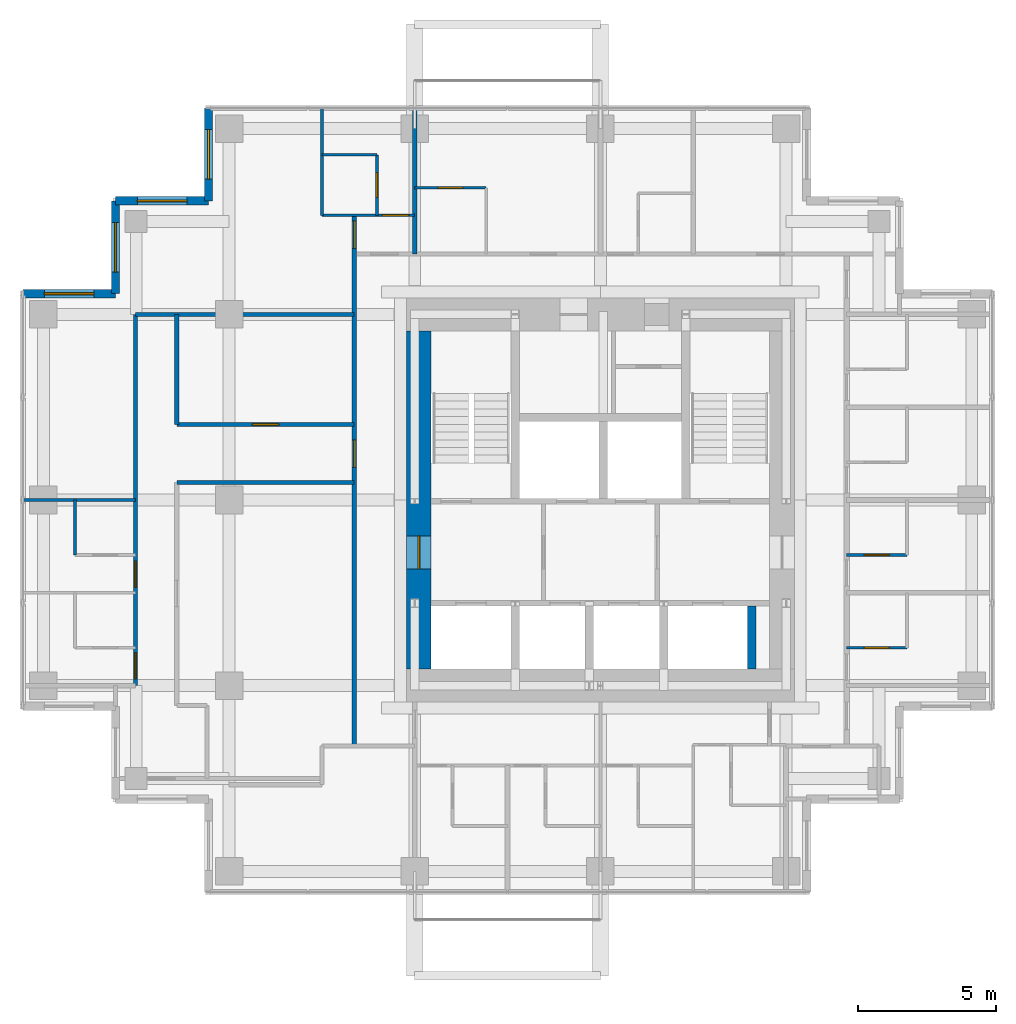
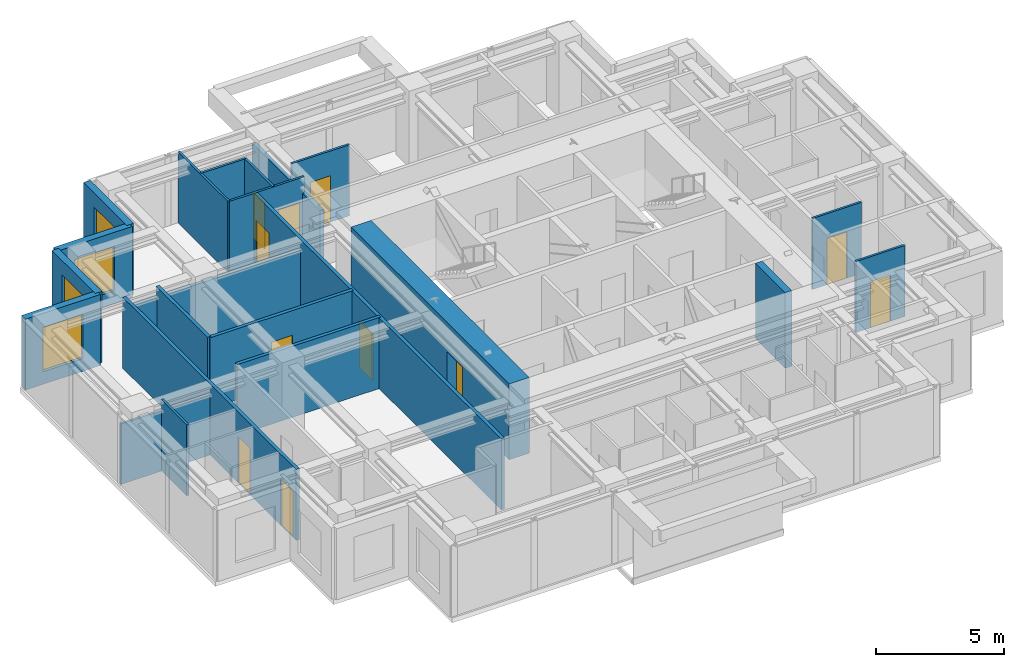
# One storey, part 5 of 8: 22 walls, 11 doors, 4 windows, 15 openings.
"""IFC4 building model written with IfcOpenShell, lengths in metres."""

from ifc_helpers import new_model, si_unit, direction, frame, frame_2d, origin, place, context, subcontext, project, spatial, rectangle, extrude, material, layer, layer_set, type_object, element, fill, save


model = new_model("IFC4")

# Units and contexts
model_context = context("Model", 3, precision=1e-05, world=origin(), true_north=direction((0.0, 1.0)))
body_context = subcontext(model_context, "Body", "Model", "MODEL_VIEW")
ifc_project = project(units=[si_unit("LENGTHUNIT", "METRE"), si_unit("AREAUNIT", "SQUARE_METRE"), si_unit("VOLUMEUNIT", "CUBIC_METRE"), si_unit("PLANEANGLEUNIT", "RADIAN"), si_unit("MASSUNIT", "GRAM", prefix="KILO")], contexts=[model_context])

# Site, building, storey
site_placement = place(None, origin())
site = spatial("IfcSite", under=ifc_project, at=site_placement, CompositionType="ELEMENT")
building_placement = place(site_placement, origin())
building = spatial("IfcBuilding", under=site, at=building_placement, Name="Nyansa Garden Tower", CompositionType="ELEMENT")
storey_placement = place(building_placement, frame((0.0, 0.0, 243.89990234375)))
storey = spatial("IfcBuildingStorey", under=building, at=storey_placement, Name="L66", CompositionType="ELEMENT", Elevation=243.89990234375)

# Walls
ifc_material_1 = material(Name="Dense blockwork, plastered both sides, 55 dB", Category="masonry")
ifc_layer_1 = layer(ifc_material_1, 0.175048828125)
ifc_layer_set_1 = layer_set([ifc_layer_1], Name="Acoustic party wall PW175")
wall_type_1 = type_object("IfcWallType", Name="Acoustic party wall PW175", PredefinedType="PARTITIONING", material=ifc_layer_set_1)
wall_1_placement = place(storey_placement, frame((13.5, 29.199951171875, 0.0), z_axis=(0.0, 0.0, 1.0), x_axis=(0.0, 1.0, 0.0)))
element("IfcWall", 1, at=wall_1_placement, inside=storey, type_object=wall_type_1, Name="Party wall", PredefinedType="PARTITIONING", context=body_context, shape_type="SweptSolid", body=[
    extrude(rectangle(XDim=5.283935546875, YDim=0.175048828125, at=frame_2d((2.64208984375, 0.0))), origin(), (0.0, 0.0, 1.0), 2.610107421875),
])
ifc_material_2 = material(Name="Concrete C70/85", Category="concrete")
ifc_layer_2 = layer(ifc_material_2, 0.300048828125)
ifc_layer_set_2 = layer_set([ifc_layer_2], Name="Core inner wall CI300")
wall_type_2 = type_object("IfcWallType", Name="Core inner wall CI300", PredefinedType="SHEAR", material=ifc_layer_set_2)
wall_2_placement = place(storey_placement, frame((25.75, 14.10009765625, 0.0), z_axis=(0.0, 0.0, 1.0), x_axis=(0.0, 1.0, 0.0)))
element("IfcWall", 2, at=wall_2_placement, inside=storey, type_object=wall_type_2, Name="Core inner wall L66", PredefinedType="SHEAR", context=body_context, shape_type="SweptSolid", body=[
    extrude(rectangle(XDim=2.2998046875, YDim=0.300048828125, at=frame_2d((1.14990234375, 0.0))), origin(), (0.0, 0.0, 1.0), 3.60009765625),
])

# Wall, opening, door
ifc_material_3 = material(Name="Concrete C80/95", Category="concrete")
ifc_layer_3 = layer(ifc_material_3, 0.89990234375)
ifc_layer_set_3 = layer_set([ifc_layer_3], Name="Core wall CW900")
wall_type_3 = type_object("IfcWallType", Name="Core wall CW900", PredefinedType="SHEAR", material=ifc_layer_set_3)
wall_3_placement = place(storey_placement, frame((13.64990234375, 26.39990234375, 0.0), z_axis=(0.0, 0.0, 1.0), x_axis=(0.0, -1.0, 0.0)))
wall_3 = element("IfcWall", 3, at=wall_3_placement, inside=storey, type_object=wall_type_3, Name="Core wall W L66", PredefinedType="SHEAR", context=body_context, shape_type="SweptSolid", body=[
    extrude(rectangle(XDim=12.2998046875, YDim=0.89990234375, at=frame_2d((6.14990234375, 0.0))), origin(), (0.0, 0.0, 1.0), 3.60009765625),
])
opening_1_placement = place(wall_3_placement, frame((7.449951171875, 0.0, 0.0)))
opening_1 = element("IfcOpeningElement", 4, at=opening_1_placement, cuts=wall_3, Name="Opening D06", PredefinedType="OPENING", context=body_context, shape_type="SweptSolid", body=[
    extrude(rectangle(XDim=1.199951171875, YDim=2.199951171875, at=frame_2d((0.60009765625, 1.10009765625))), frame((0.0, 0.4599609375, 0.0), z_axis=(0.0, -1.0, 0.0), x_axis=(1.0, 0.0, 0.0)), (0.0, 0.0, 1.0), 0.919921875),
])
ifc_material_4 = material(Name="Steel door, 120 minute fire resisting", Category="steel")
door_type_1 = type_object("IfcDoorType", Name="Lobby door D06 1200x2200", OperationType="DOUBLE_DOOR_SINGLE_SWING", PredefinedType="DOOR", material=ifc_material_4)
door_1_placement = place(opening_1_placement, origin())
door_1 = element("IfcDoor", 5, at=door_1_placement, inside=storey, type_object=door_type_1, Name="Lift lobby door west", OperationType="DOUBLE_DOOR_SINGLE_SWING", OverallHeight=2.199951171875, OverallWidth=1.199951171875, PredefinedType="DOOR", context=body_context, shape_type="SweptSolid", body=[
    extrude(rectangle(XDim=1.199951171875, YDim=2.199951171875, at=frame_2d((0.60009765625, 1.10009765625))), frame((0.0, 0.02490234375, 0.0), z_axis=(0.0, -1.0, 0.0), x_axis=(1.0, 0.0, 0.0)), (0.0, 0.0, 1.0), 0.050048828125),
])
fill(opening_1, door_1)

# Wall, openings, doors
ifc_material_5 = material(Name="Blockwork, plastered both sides", Category="masonry")
ifc_layer_4 = layer(ifc_material_5, 0.14990234375)
ifc_layer_set_4 = layer_set([ifc_layer_4], Name="Partition PW150")
wall_type_4 = type_object("IfcWallType", Name="Partition PW150", PredefinedType="PARTITIONING", material=ifc_layer_set_4)
wall_4_placement = place(storey_placement, frame((3.35009765625, 13.5, 0.0), z_axis=(0.0, 0.0, 1.0), x_axis=(0.0, 1.0, 0.0)))
wall_4 = element("IfcWall", 6, at=wall_4_placement, inside=storey, type_object=wall_type_4, Name="Partition", PredefinedType="PARTITIONING", context=body_context, shape_type="SweptSolid", body=[
    extrude(rectangle(XDim=13.5, YDim=0.14990234375, at=frame_2d((6.75, 0.0))), origin(), (0.0, 0.0, 1.0), 3.375),
])
opening_2_placement = place(wall_4_placement, frame((0.25, 0.0, 0.0)))
opening_2 = element("IfcOpeningElement", 7, at=opening_2_placement, cuts=wall_4, Name="Opening D14", PredefinedType="OPENING", context=body_context, shape_type="SweptSolid", body=[
    extrude(rectangle(XDim=0.949951171875, YDim=2.199951171875, at=frame_2d((0.47509765625, 1.10009765625))), frame((0.0, 0.0849609375, 0.0), z_axis=(0.0, -1.0, 0.0), x_axis=(1.0, 0.0, 0.0)), (0.0, 0.0, 1.0), 0.169921875),
])
opening_3_placement = place(wall_4_placement, frame((3.574951171875, 0.0, 0.0)))
opening_3 = element("IfcOpeningElement", 8, at=opening_3_placement, cuts=wall_4, Name="Opening D14", PredefinedType="OPENING", context=body_context, shape_type="SweptSolid", body=[
    extrude(rectangle(XDim=0.949951171875, YDim=2.199951171875, at=frame_2d((0.47509765625, 1.10009765625))), frame((0.0, 0.0849609375, 0.0), z_axis=(0.0, -1.0, 0.0), x_axis=(1.0, 0.0, 0.0)), (0.0, 0.0, 1.0), 0.169921875),
])
ifc_material_6 = material(Name="Timber flush door, 60 minute fire resisting, self-closing", Category="wood")
door_type_2 = type_object("IfcDoorType", Name="Studio entrance door D14 950x2200", OperationType="SINGLE_SWING_LEFT", PredefinedType="DOOR", material=ifc_material_6)
door_2_placement = place(opening_2_placement, origin())
door_2 = element("IfcDoor", 9, at=door_2_placement, inside=storey, type_object=door_type_2, Name="Door L66-048", OperationType="SINGLE_SWING_LEFT", OverallHeight=2.199951171875, OverallWidth=0.949951171875, PredefinedType="DOOR", context=body_context, shape_type="SweptSolid", body=[
    extrude(rectangle(XDim=0.949951171875, YDim=2.199951171875, at=frame_2d((0.47509765625, 1.10009765625))), frame((0.0, 0.02490234375, 0.0), z_axis=(0.0, -1.0, 0.0), x_axis=(1.0, 0.0, 0.0)), (0.0, 0.0, 1.0), 0.050048828125),
])
fill(opening_2, door_2)
door_3_placement = place(opening_3_placement, origin())
door_3 = element("IfcDoor", 10, at=door_3_placement, inside=storey, type_object=door_type_2, Name="Door L66-050", OperationType="SINGLE_SWING_LEFT", OverallHeight=2.199951171875, OverallWidth=0.949951171875, PredefinedType="DOOR", context=body_context, shape_type="SweptSolid", body=[
    extrude(rectangle(XDim=0.949951171875, YDim=2.199951171875, at=frame_2d((0.47509765625, 1.10009765625))), frame((0.0, 0.02490234375, 0.0), z_axis=(0.0, -1.0, 0.0), x_axis=(1.0, 0.0, 0.0)), (0.0, 0.0, 1.0), 0.050048828125),
])
fill(opening_3, door_3)

# Walls
wall_5_placement = place(storey_placement, frame((3.35009765625, 27.0, 0.0), z_axis=(0.0, 0.0, 1.0), x_axis=(1.0, 0.0, 0.0)))
element("IfcWall", 11, at=wall_5_placement, inside=storey, type_object=wall_type_4, Name="Partition", PredefinedType="PARTITIONING", context=body_context, shape_type="SweptSolid", body=[
    extrude(rectangle(XDim=7.949951171875, YDim=0.14990234375, at=frame_2d((3.97509765625, 0.0))), origin(), (0.0, 0.0, 1.0), 2.877197265625),
])
wall_6_placement = place(storey_placement, frame((4.85009765625, 20.886962890625, 0.0), z_axis=(0.0, 0.0, 1.0), x_axis=(1.0, 0.0, 0.0)))
element("IfcWall", 12, at=wall_6_placement, inside=storey, type_object=wall_type_4, Name="Partition", PredefinedType="PARTITIONING", context=body_context, shape_type="SweptSolid", body=[
    extrude(rectangle(XDim=6.449951171875, YDim=0.14990234375, at=frame_2d((3.22509765625, 0.0))), origin(), (0.0, 0.0, 1.0), 3.375),
])
wall_7_placement = place(storey_placement, frame((4.85009765625, 22.987548828125, 0.0), z_axis=(0.0, 0.0, 1.0), x_axis=(0.0, 1.0, 0.0)))
element("IfcWall", 13, at=wall_7_placement, inside=storey, type_object=wall_type_4, Name="Partition", PredefinedType="PARTITIONING", context=body_context, shape_type="SweptSolid", body=[
    extrude(rectangle(XDim=4.012451171875, YDim=0.14990234375, at=frame_2d((2.00634765625, 0.0))), origin(), (0.0, 0.0, 1.0), 3.375),
])

# Wall, opening, door
wall_8_placement = place(storey_placement, frame((4.85009765625, 22.988037109375, 0.0), z_axis=(0.0, 0.0, 1.0), x_axis=(1.0, 0.0, 0.0)))
wall_8 = element("IfcWall", 14, at=wall_8_placement, inside=storey, type_object=wall_type_4, Name="Partition", PredefinedType="PARTITIONING", context=body_context, shape_type="SweptSolid", body=[
    extrude(rectangle(XDim=6.449951171875, YDim=0.14990234375, at=frame_2d((3.22509765625, 0.0))), origin(), (0.0, 0.0, 1.0), 3.375),
])
opening_4_placement = place(wall_8_placement, frame((2.75, 0.0, 0.0)))
opening_4 = element("IfcOpeningElement", 15, at=opening_4_placement, cuts=wall_8, Name="Opening D01", PredefinedType="OPENING", context=body_context, shape_type="SweptSolid", body=[
    extrude(rectangle(XDim=0.949951171875, YDim=2.199951171875, at=frame_2d((0.47509765625, 1.10009765625))), frame((0.0, 0.0849609375, 0.0), z_axis=(0.0, -1.0, 0.0), x_axis=(1.0, 0.0, 0.0)), (0.0, 0.0, 1.0), 0.169921875),
])
ifc_material_7 = material(Name="Timber flush door, 30 minute fire resisting", Category="wood")
door_type_3 = type_object("IfcDoorType", Name="Bedroom door D01 950x2200", OperationType="SINGLE_SWING_LEFT", PredefinedType="DOOR", material=ifc_material_7)
door_4_placement = place(opening_4_placement, origin())
door_4 = element("IfcDoor", 16, at=door_4_placement, inside=storey, type_object=door_type_3, Name="Door L66-053", OperationType="SINGLE_SWING_LEFT", OverallHeight=2.199951171875, OverallWidth=0.949951171875, PredefinedType="DOOR", context=body_context, shape_type="SweptSolid", body=[
    extrude(rectangle(XDim=0.949951171875, YDim=2.199951171875, at=frame_2d((0.47509765625, 1.10009765625))), frame((0.0, 0.02490234375, 0.0), z_axis=(0.0, -1.0, 0.0), x_axis=(1.0, 0.0, 0.0)), (0.0, 0.0, 1.0), 0.050048828125),
])
fill(opening_4, door_4)

# Wall, openings, doors
wall_9_placement = place(storey_placement, frame((11.300048828125, 11.300048828125, 0.0), z_axis=(0.0, 0.0, 1.0), x_axis=(0.0, 1.0, 0.0)))
wall_9 = element("IfcWall", 17, at=wall_9_placement, inside=storey, type_object=wall_type_4, Name="Partition", PredefinedType="PARTITIONING", context=body_context, shape_type="SweptSolid", body=[
    extrude(rectangle(XDim=19.300048828125, YDim=0.14990234375, at=frame_2d((9.64990234375, 0.0))), origin(), (0.0, 0.0, 1.0), 3.375),
])
opening_5_placement = place(wall_9_placement, frame((18.10009765625, 0.0, 0.0)))
opening_5 = element("IfcOpeningElement", 18, at=opening_5_placement, cuts=wall_9, Name="Opening D03", PredefinedType="OPENING", context=body_context, shape_type="SweptSolid", body=[
    extrude(rectangle(XDim=1.0, YDim=2.199951171875, at=frame_2d((0.5, 1.10009765625))), frame((0.0, 0.0849609375, 0.0), z_axis=(0.0, -1.0, 0.0), x_axis=(1.0, 0.0, 0.0)), (0.0, 0.0, 1.0), 0.169921875),
])
opening_6_placement = place(wall_9_placement, frame((10.137451171875, 0.0, 0.0)))
opening_6 = element("IfcOpeningElement", 19, at=opening_6_placement, cuts=wall_9, Name="Opening D03", PredefinedType="OPENING", context=body_context, shape_type="SweptSolid", body=[
    extrude(rectangle(XDim=1.0, YDim=2.199951171875, at=frame_2d((0.5, 1.10009765625))), frame((0.0, 0.0849609375, 0.0), z_axis=(0.0, -1.0, 0.0), x_axis=(1.0, 0.0, 0.0)), (0.0, 0.0, 1.0), 0.169921875),
])
ifc_material_8 = material(Name="Timber flush door, 60 minute fire resisting", Category="wood")
door_type_4 = type_object("IfcDoorType", Name="Cluster entrance door D03 1000x2200", OperationType="SINGLE_SWING_LEFT", PredefinedType="DOOR", material=ifc_material_8)
door_5_placement = place(opening_5_placement, origin())
door_5 = element("IfcDoor", 20, at=door_5_placement, inside=storey, type_object=door_type_4, Name="Door L66-047", OperationType="SINGLE_SWING_LEFT", OverallHeight=2.199951171875, OverallWidth=1.0, PredefinedType="DOOR", context=body_context, shape_type="SweptSolid", body=[
    extrude(rectangle(XDim=1.0, YDim=2.199951171875, at=frame_2d((0.5, 1.10009765625))), frame((0.0, 0.02490234375, 0.0), z_axis=(0.0, -1.0, 0.0), x_axis=(1.0, 0.0, 0.0)), (0.0, 0.0, 1.0), 0.050048828125),
])
fill(opening_5, door_5)
door_6_placement = place(opening_6_placement, origin())
door_6 = element("IfcDoor", 21, at=door_6_placement, inside=storey, type_object=door_type_4, Name="Door L66-052", OperationType="SINGLE_SWING_LEFT", OverallHeight=2.199951171875, OverallWidth=1.0, PredefinedType="DOOR", context=body_context, shape_type="SweptSolid", body=[
    extrude(rectangle(XDim=1.0, YDim=2.199951171875, at=frame_2d((0.5, 1.10009765625))), frame((0.0, 0.02490234375, 0.0), z_axis=(0.0, -1.0, 0.0), x_axis=(1.0, 0.0, 0.0)), (0.0, 0.0, 1.0), 0.050048828125),
])
fill(opening_6, door_6)

# Wall, opening, window
ifc_material_9 = material(Name="Turquoise glazed tile on concrete blockwork", Category="masonry")
ifc_layer_5 = layer(ifc_material_9, 0.300048828125)
ifc_layer_set_5 = layer_set([ifc_layer_5], Name="Tiled corner wall TW300")
wall_type_5 = type_object("IfcWallType", Name="Tiled corner wall TW300", PredefinedType="SOLIDWALL", material=ifc_layer_set_5)
wall_10_placement = place(storey_placement, frame((6.0, 34.5, 0.0), z_axis=(0.0, 0.0, 1.0), x_axis=(0.0, -1.0, 0.0)))
wall_10 = element("IfcWall", 22, at=wall_10_placement, inside=storey, type_object=wall_type_5, Name="Tiled corner wall L66", PredefinedType="SOLIDWALL", context=body_context, shape_type="SweptSolid", body=[
    extrude(rectangle(XDim=3.375, YDim=0.300048828125, at=frame_2d((1.6875, 0.0))), origin(), (0.0, 0.0, 1.0), 3.375),
])
opening_7_placement = place(wall_10_placement, frame((0.78759765625, 0.0, 0.60009765625)))
opening_7 = element("IfcOpeningElement", 23, at=opening_7_placement, cuts=wall_10, Name="Opening W2", PredefinedType="OPENING", context=body_context, shape_type="SweptSolid", body=[
    extrude(rectangle(XDim=1.800048828125, YDim=2.10009765625, at=frame_2d((0.89990234375, 1.050048828125))), frame((0.0, 0.159912109375, 0.0), z_axis=(0.0, -1.0, 0.0), x_axis=(1.0, 0.0, 0.0)), (0.0, 0.0, 1.0), 0.320068359375),
])
ifc_material_10 = material(Name="Black aluminium frame, dark tinted double glazing", Category="aluminium")
window_type = type_object("IfcWindowType", Name="Window W2 1800x2100", PartitioningType="SINGLE_PANEL", PredefinedType="WINDOW", material=ifc_material_10)
window_1_placement = place(opening_7_placement, origin())
window_1 = element("IfcWindow", 24, at=window_1_placement, inside=storey, type_object=window_type, Name="Corner window L66", OverallHeight=2.10009765625, OverallWidth=1.800048828125, PartitioningType="SINGLE_PANEL", PredefinedType="WINDOW", context=body_context, shape_type="SweptSolid", body=[
    extrude(rectangle(XDim=1.800048828125, YDim=2.10009765625, at=frame_2d((0.89990234375, 1.050048828125))), frame((0.0, 0.030029296875, 0.0), z_axis=(0.0, -1.0, 0.0), x_axis=(1.0, 0.0, 0.0)), (0.0, 0.0, 1.0), 0.06005859375),
])
fill(opening_7, window_1)

wall_11_placement = place(storey_placement, frame((6.0, 31.125, 0.0), z_axis=(0.0, 0.0, 1.0), x_axis=(-1.0, 0.0, 0.0)))
wall_11 = element("IfcWall", 25, at=wall_11_placement, inside=storey, type_object=wall_type_5, Name="Tiled corner wall L66", PredefinedType="SOLIDWALL", context=body_context, shape_type="SweptSolid", body=[
    extrude(rectangle(XDim=3.375, YDim=0.300048828125, at=frame_2d((1.6875, 0.0))), origin(), (0.0, 0.0, 1.0), 3.375),
])
opening_8_placement = place(wall_11_placement, frame((0.78759765625, 0.0, 0.60009765625)))
opening_8 = element("IfcOpeningElement", 26, at=opening_8_placement, cuts=wall_11, Name="Opening W2", PredefinedType="OPENING", context=body_context, shape_type="SweptSolid", body=[
    extrude(rectangle(XDim=1.800048828125, YDim=2.10009765625, at=frame_2d((0.89990234375, 1.050048828125))), frame((0.0, 0.159912109375, 0.0), z_axis=(0.0, -1.0, 0.0), x_axis=(1.0, 0.0, 0.0)), (0.0, 0.0, 1.0), 0.320068359375),
])
window_2_placement = place(opening_8_placement, origin())
window_2 = element("IfcWindow", 27, at=window_2_placement, inside=storey, type_object=window_type, Name="Corner window L66", OverallHeight=2.10009765625, OverallWidth=1.800048828125, PartitioningType="SINGLE_PANEL", PredefinedType="WINDOW", context=body_context, shape_type="SweptSolid", body=[
    extrude(rectangle(XDim=1.800048828125, YDim=2.10009765625, at=frame_2d((0.89990234375, 1.050048828125))), frame((0.0, 0.030029296875, 0.0), z_axis=(0.0, -1.0, 0.0), x_axis=(1.0, 0.0, 0.0)), (0.0, 0.0, 1.0), 0.06005859375),
])
fill(opening_8, window_2)

wall_12_placement = place(storey_placement, frame((2.625, 31.125, 0.0), z_axis=(0.0, 0.0, 1.0), x_axis=(0.0, -1.0, 0.0)))
wall_12 = element("IfcWall", 28, at=wall_12_placement, inside=storey, type_object=wall_type_5, Name="Tiled corner wall L66", PredefinedType="SOLIDWALL", context=body_context, shape_type="SweptSolid", body=[
    extrude(rectangle(XDim=3.375, YDim=0.300048828125, at=frame_2d((1.6875, 0.0))), origin(), (0.0, 0.0, 1.0), 3.375),
])
opening_9_placement = place(wall_12_placement, frame((0.78759765625, 0.0, 0.60009765625)))
opening_9 = element("IfcOpeningElement", 29, at=opening_9_placement, cuts=wall_12, Name="Opening W2", PredefinedType="OPENING", context=body_context, shape_type="SweptSolid", body=[
    extrude(rectangle(XDim=1.800048828125, YDim=2.10009765625, at=frame_2d((0.89990234375, 1.050048828125))), frame((0.0, 0.159912109375, 0.0), z_axis=(0.0, -1.0, 0.0), x_axis=(1.0, 0.0, 0.0)), (0.0, 0.0, 1.0), 0.320068359375),
])
window_3_placement = place(opening_9_placement, origin())
window_3 = element("IfcWindow", 30, at=window_3_placement, inside=storey, type_object=window_type, Name="Corner window L66", OverallHeight=2.10009765625, OverallWidth=1.800048828125, PartitioningType="SINGLE_PANEL", PredefinedType="WINDOW", context=body_context, shape_type="SweptSolid", body=[
    extrude(rectangle(XDim=1.800048828125, YDim=2.10009765625, at=frame_2d((0.89990234375, 1.050048828125))), frame((0.0, 0.030029296875, 0.0), z_axis=(0.0, -1.0, 0.0), x_axis=(1.0, 0.0, 0.0)), (0.0, 0.0, 1.0), 0.06005859375),
])
fill(opening_9, window_3)

wall_13_placement = place(storey_placement, frame((2.625, 27.75, 0.0), z_axis=(0.0, 0.0, 1.0), x_axis=(-1.0, 0.0, 0.0)))
wall_13 = element("IfcWall", 31, at=wall_13_placement, inside=storey, type_object=wall_type_5, Name="Tiled corner wall L66", PredefinedType="SOLIDWALL", context=body_context, shape_type="SweptSolid", body=[
    extrude(rectangle(XDim=3.375, YDim=0.300048828125, at=frame_2d((1.6875, 0.0))), origin(), (0.0, 0.0, 1.0), 3.375),
])
opening_10_placement = place(wall_13_placement, frame((0.78759765625, 0.0, 0.60009765625)))
opening_10 = element("IfcOpeningElement", 32, at=opening_10_placement, cuts=wall_13, Name="Opening W2", PredefinedType="OPENING", context=body_context, shape_type="SweptSolid", body=[
    extrude(rectangle(XDim=1.800048828125, YDim=2.10009765625, at=frame_2d((0.89990234375, 1.050048828125))), frame((0.0, 0.159912109375, 0.0), z_axis=(0.0, -1.0, 0.0), x_axis=(1.0, 0.0, 0.0)), (0.0, 0.0, 1.0), 0.320068359375),
])
window_4_placement = place(opening_10_placement, origin())
window_4 = element("IfcWindow", 33, at=window_4_placement, inside=storey, type_object=window_type, Name="Corner window L66", OverallHeight=2.10009765625, OverallWidth=1.800048828125, PartitioningType="SINGLE_PANEL", PredefinedType="WINDOW", context=body_context, shape_type="SweptSolid", body=[
    extrude(rectangle(XDim=1.800048828125, YDim=2.10009765625, at=frame_2d((0.89990234375, 1.050048828125))), frame((0.0, 0.030029296875, 0.0), z_axis=(0.0, -1.0, 0.0), x_axis=(1.0, 0.0, 0.0)), (0.0, 0.0, 1.0), 0.06005859375),
])
fill(opening_10, window_4)

# Walls
ifc_material_11 = material(Name="Moisture resistant board on steel studs, tiled", Category="steel")
ifc_layer_6 = layer(ifc_material_11, 0.10009765625)
ifc_layer_set_6 = layer_set([ifc_layer_6], Name="Wet wall PW100")
wall_type_6 = type_object("IfcWallType", Name="Wet wall PW100", PredefinedType="PARTITIONING", material=ifc_layer_set_6)
wall_14_placement = place(storey_placement, frame((-0.73388671875, 20.25, 0.0), z_axis=(0.0, 0.0, 1.0), x_axis=(1.0, 0.0, 0.0)))
element("IfcWall", 34, at=wall_14_placement, inside=storey, type_object=wall_type_6, Name="Wet wall", PredefinedType="PARTITIONING", context=body_context, shape_type="SweptSolid", body=[
    extrude(rectangle(XDim=4.083984375, YDim=0.10009765625, at=frame_2d((2.0419921875, 0.0))), origin(), (0.0, 0.0, 1.0), 2.877197265625),
])
wall_15_placement = place(storey_placement, frame((1.14990234375, 18.25, 0.0), z_axis=(0.0, 0.0, 1.0), x_axis=(0.0, 1.0, 0.0)))
element("IfcWall", 35, at=wall_15_placement, inside=storey, type_object=wall_type_6, Name="Wet wall", PredefinedType="PARTITIONING", context=body_context, shape_type="SweptSolid", body=[
    extrude(rectangle(XDim=2.0, YDim=0.10009765625, at=frame_2d((1.0, 0.0))), origin(), (0.0, 0.0, 1.0), 3.375),
])
wall_16_placement = place(storey_placement, frame((10.125, 30.60009765625, 0.0), z_axis=(0.0, 0.0, 1.0), x_axis=(0.0, 1.0, 0.0)))
element("IfcWall", 36, at=wall_16_placement, inside=storey, type_object=wall_type_6, Name="Wet wall", PredefinedType="PARTITIONING", context=body_context, shape_type="SweptSolid", body=[
    extrude(rectangle(XDim=3.8837890625, YDim=0.10009765625, at=frame_2d((1.94189453125, 0.0))), origin(), (0.0, 0.0, 1.0), 3.375),
])

# Wall, opening, door
wall_17_placement = place(storey_placement, frame((10.125, 30.60009765625, 0.0), z_axis=(0.0, 0.0, 1.0), x_axis=(1.0, 0.0, 0.0)))
wall_17 = element("IfcWall", 37, at=wall_17_placement, inside=storey, type_object=wall_type_6, Name="Wet wall", PredefinedType="PARTITIONING", context=body_context, shape_type="SweptSolid", body=[
    extrude(rectangle(XDim=3.375, YDim=0.10009765625, at=frame_2d((1.6875, 0.0))), origin(), (0.0, 0.0, 1.0), 3.375),
])
opening_11_placement = place(wall_17_placement, frame((2.199951171875, 0.0, 0.0)))
opening_11 = element("IfcOpeningElement", 38, at=opening_11_placement, cuts=wall_17, Name="Opening D14", PredefinedType="OPENING", context=body_context, shape_type="SweptSolid", body=[
    extrude(rectangle(XDim=0.949951171875, YDim=2.199951171875, at=frame_2d((0.47509765625, 1.10009765625))), frame((0.0, 0.06005859375, 0.0), z_axis=(0.0, -1.0, 0.0), x_axis=(1.0, 0.0, 0.0)), (0.0, 0.0, 1.0), 0.1201171875),
])
door_7_placement = place(opening_11_placement, origin())
door_7 = element("IfcDoor", 39, at=door_7_placement, inside=storey, type_object=door_type_2, Name="Door L66-042", OperationType="SINGLE_SWING_LEFT", OverallHeight=2.199951171875, OverallWidth=0.949951171875, PredefinedType="DOOR", context=body_context, shape_type="SweptSolid", body=[
    extrude(rectangle(XDim=0.949951171875, YDim=2.199951171875, at=frame_2d((0.47509765625, 1.10009765625))), frame((0.0, 0.02490234375, 0.0), z_axis=(0.0, -1.0, 0.0), x_axis=(1.0, 0.0, 0.0)), (0.0, 0.0, 1.0), 0.050048828125),
])
fill(opening_11, door_7)

# Wall
wall_18_placement = place(storey_placement, frame((10.125, 32.800048828125, 0.0), z_axis=(0.0, 0.0, 1.0), x_axis=(1.0, 0.0, 0.0)))
element("IfcWall", 40, at=wall_18_placement, inside=storey, type_object=wall_type_6, Name="Wet wall", PredefinedType="PARTITIONING", context=body_context, shape_type="SweptSolid", body=[
    extrude(rectangle(XDim=2.0, YDim=0.10009765625, at=frame_2d((1.0, 0.0))), origin(), (0.0, 0.0, 1.0), 3.375),
])

# Wall, opening, door
wall_19_placement = place(storey_placement, frame((12.125, 30.60009765625, 0.0), z_axis=(0.0, 0.0, 1.0), x_axis=(0.0, 1.0, 0.0)))
wall_19 = element("IfcWall", 41, at=wall_19_placement, inside=storey, type_object=wall_type_6, Name="Wet wall", PredefinedType="PARTITIONING", context=body_context, shape_type="SweptSolid", body=[
    extrude(rectangle(XDim=2.199951171875, YDim=0.10009765625, at=frame_2d((1.10009765625, 0.0))), origin(), (0.0, 0.0, 1.0), 3.375),
])
opening_12_placement = place(wall_19_placement, frame((0.64990234375, 0.0, 0.0)))
opening_12 = element("IfcOpeningElement", 42, at=opening_12_placement, cuts=wall_19, Name="Opening D02", PredefinedType="OPENING", context=body_context, shape_type="SweptSolid", body=[
    extrude(rectangle(XDim=0.89990234375, YDim=2.199951171875, at=frame_2d((0.449951171875, 1.10009765625))), frame((0.0, 0.06005859375, 0.0), z_axis=(0.0, -1.0, 0.0), x_axis=(1.0, 0.0, 0.0)), (0.0, 0.0, 1.0), 0.1201171875),
])
ifc_material_12 = material(Name="Timber flush door", Category="wood")
door_type_5 = type_object("IfcDoorType", Name="En-suite door D02 900x2200", OperationType="SINGLE_SWING_RIGHT", PredefinedType="DOOR", material=ifc_material_12)
door_8_placement = place(opening_12_placement, origin())
door_8 = element("IfcDoor", 43, at=door_8_placement, inside=storey, type_object=door_type_5, Name="Door L66-043", OperationType="SINGLE_SWING_RIGHT", OverallHeight=2.199951171875, OverallWidth=0.89990234375, PredefinedType="DOOR", context=body_context, shape_type="SweptSolid", body=[
    extrude(rectangle(XDim=0.89990234375, YDim=2.199951171875, at=frame_2d((0.449951171875, 1.10009765625))), frame((0.0, 0.02490234375, 0.0), z_axis=(0.0, -1.0, 0.0), x_axis=(1.0, 0.0, 0.0)), (0.0, 0.0, 1.0), 0.050048828125),
])
fill(opening_12, door_8)

wall_20_placement = place(storey_placement, frame((13.5, 31.60009765625, 0.0), z_axis=(0.0, 0.0, 1.0), x_axis=(1.0, 0.0, 0.0)))
wall_20 = element("IfcWall", 44, at=wall_20_placement, inside=storey, type_object=wall_type_6, Name="Wet wall", PredefinedType="PARTITIONING", context=body_context, shape_type="SweptSolid", body=[
    extrude(rectangle(XDim=2.60009765625, YDim=0.10009765625, at=frame_2d((1.300048828125, 0.0))), origin(), (0.0, 0.0, 1.0), 3.375),
])
opening_13_placement = place(wall_20_placement, frame((0.85009765625, 0.0, 0.0)))
opening_13 = element("IfcOpeningElement", 45, at=opening_13_placement, cuts=wall_20, Name="Opening D02", PredefinedType="OPENING", context=body_context, shape_type="SweptSolid", body=[
    extrude(rectangle(XDim=0.89990234375, YDim=2.199951171875, at=frame_2d((0.449951171875, 1.10009765625))), frame((0.0, 0.06005859375, 0.0), z_axis=(0.0, -1.0, 0.0), x_axis=(1.0, 0.0, 0.0)), (0.0, 0.0, 1.0), 0.1201171875),
])
door_9_placement = place(opening_13_placement, origin())
door_9 = element("IfcDoor", 46, at=door_9_placement, inside=storey, type_object=door_type_5, Name="Door L66-041", OperationType="SINGLE_SWING_RIGHT", OverallHeight=2.199951171875, OverallWidth=0.89990234375, PredefinedType="DOOR", context=body_context, shape_type="SweptSolid", body=[
    extrude(rectangle(XDim=0.89990234375, YDim=2.199951171875, at=frame_2d((0.449951171875, 1.10009765625))), frame((0.0, 0.02490234375, 0.0), z_axis=(0.0, -1.0, 0.0), x_axis=(1.0, 0.0, 0.0)), (0.0, 0.0, 1.0), 0.050048828125),
])
fill(opening_13, door_9)

wall_21_placement = place(storey_placement, frame((29.199951171875, 14.875, 0.0), z_axis=(0.0, 0.0, 1.0), x_axis=(1.0, 0.0, 0.0)))
wall_21 = element("IfcWall", 47, at=wall_21_placement, inside=storey, type_object=wall_type_6, Name="Wet wall", PredefinedType="PARTITIONING", context=body_context, shape_type="SweptSolid", body=[
    extrude(rectangle(XDim=2.199951171875, YDim=0.10009765625, at=frame_2d((1.10009765625, 0.0))), origin(), (0.0, 0.0, 1.0), 3.375),
])
opening_14_placement = place(wall_21_placement, frame((0.64990234375, 0.0, 0.0)))
opening_14 = element("IfcOpeningElement", 48, at=opening_14_placement, cuts=wall_21, Name="Opening D02", PredefinedType="OPENING", context=body_context, shape_type="SweptSolid", body=[
    extrude(rectangle(XDim=0.89990234375, YDim=2.199951171875, at=frame_2d((0.449951171875, 1.10009765625))), frame((0.0, 0.06005859375, 0.0), z_axis=(0.0, -1.0, 0.0), x_axis=(1.0, 0.0, 0.0)), (0.0, 0.0, 1.0), 0.1201171875),
])
door_10_placement = place(opening_14_placement, origin())
door_10 = element("IfcDoor", 49, at=door_10_placement, inside=storey, type_object=door_type_5, Name="Door L66-031", OperationType="SINGLE_SWING_RIGHT", OverallHeight=2.199951171875, OverallWidth=0.89990234375, PredefinedType="DOOR", context=body_context, shape_type="SweptSolid", body=[
    extrude(rectangle(XDim=0.89990234375, YDim=2.199951171875, at=frame_2d((0.449951171875, 1.10009765625))), frame((0.0, 0.02490234375, 0.0), z_axis=(0.0, -1.0, 0.0), x_axis=(1.0, 0.0, 0.0)), (0.0, 0.0, 1.0), 0.050048828125),
])
fill(opening_14, door_10)

wall_22_placement = place(storey_placement, frame((29.199951171875, 18.25, 0.0), z_axis=(0.0, 0.0, 1.0), x_axis=(1.0, 0.0, 0.0)))
wall_22 = element("IfcWall", 50, at=wall_22_placement, inside=storey, type_object=wall_type_6, Name="Wet wall", PredefinedType="PARTITIONING", context=body_context, shape_type="SweptSolid", body=[
    extrude(rectangle(XDim=2.199951171875, YDim=0.10009765625, at=frame_2d((1.10009765625, 0.0))), origin(), (0.0, 0.0, 1.0), 3.375),
])
opening_15_placement = place(wall_22_placement, frame((0.64990234375, 0.0, 0.0)))
opening_15 = element("IfcOpeningElement", 51, at=opening_15_placement, cuts=wall_22, Name="Opening D02", PredefinedType="OPENING", context=body_context, shape_type="SweptSolid", body=[
    extrude(rectangle(XDim=0.89990234375, YDim=2.199951171875, at=frame_2d((0.449951171875, 1.10009765625))), frame((0.0, 0.06005859375, 0.0), z_axis=(0.0, -1.0, 0.0), x_axis=(1.0, 0.0, 0.0)), (0.0, 0.0, 1.0), 0.1201171875),
])
door_11_placement = place(opening_15_placement, origin())
door_11 = element("IfcDoor", 52, at=door_11_placement, inside=storey, type_object=door_type_5, Name="Door L66-033", OperationType="SINGLE_SWING_RIGHT", OverallHeight=2.199951171875, OverallWidth=0.89990234375, PredefinedType="DOOR", context=body_context, shape_type="SweptSolid", body=[
    extrude(rectangle(XDim=0.89990234375, YDim=2.199951171875, at=frame_2d((0.449951171875, 1.10009765625))), frame((0.0, 0.02490234375, 0.0), z_axis=(0.0, -1.0, 0.0), x_axis=(1.0, 0.0, 0.0)), (0.0, 0.0, 1.0), 0.050048828125),
])
fill(opening_15, door_11)

save(model, "model.ifc")
